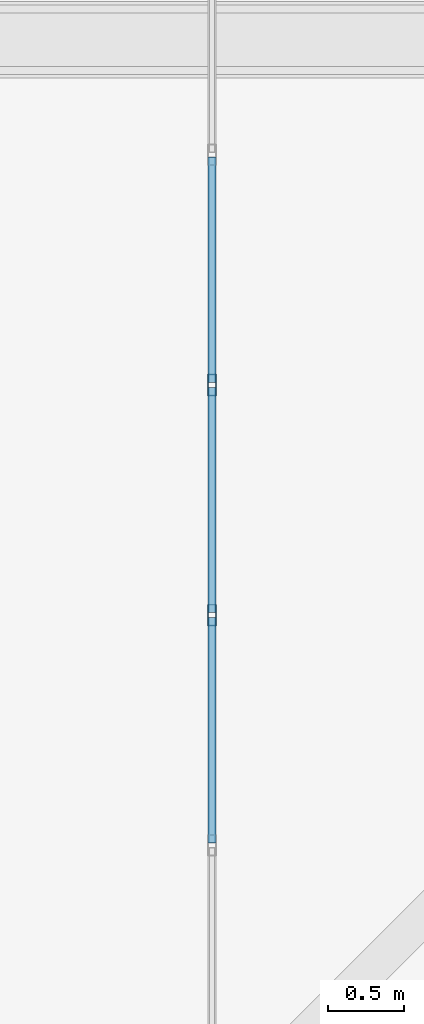
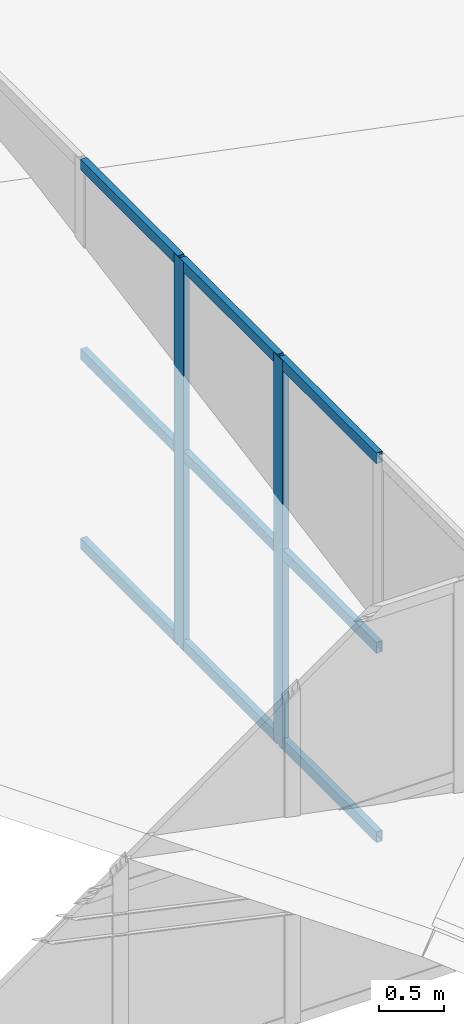
# One storey, part 123 of 397: 11 members, 1 element without a shape of its own.
"""IFC4 building model written with IfcOpenShell, lengths in metres."""

from ifc_helpers import new_model, si_unit, direction, frame, origin, origin_2d, place, context, subcontext, project, spatial, hollow_rectangle, extrude, material, material_profile, profile_set, type_object, element, aggregate, save


model = new_model("IFC4")

# Units and contexts
model_context = context("Model", 3, precision=1e-05, world=origin(), true_north=direction((0.0, 1.0)))
body_context = subcontext(model_context, "Body", "Model", "MODEL_VIEW")
ifc_project = project(units=[si_unit("LENGTHUNIT", "METRE"), si_unit("AREAUNIT", "SQUARE_METRE"), si_unit("VOLUMEUNIT", "CUBIC_METRE"), si_unit("PLANEANGLEUNIT", "RADIAN"), si_unit("MASSUNIT", "GRAM", prefix="KILO")], contexts=[model_context])

# Site, building, storey
site_placement = place(None, origin())
site = spatial("IfcSite", under=ifc_project, at=site_placement, CompositionType="ELEMENT")
building_placement = place(site_placement, origin())
building = spatial("IfcBuilding", under=site, at=building_placement, Name="Qandorah Velis Arena", CompositionType="ELEMENT")
storey_placement = place(building_placement, frame((0.0, 0.0, 27.5)))
storey = spatial("IfcBuildingStorey", under=building, at=storey_placement, Name="RF", CompositionType="ELEMENT", Elevation=27.5)

# Curtain wall, members
ifc_material_1 = material(Name="Solar-control low-E double glazing", Category="glass")
curtain_wall_type = type_object("IfcCurtainWallType", Name="ARC-CW-SYS13", PredefinedType="USERDEFINED", material=ifc_material_1)
curtain_wall_placement = place(storey_placement, origin())
curtain_wall = element("IfcCurtainWall", 1, at=curtain_wall_placement, inside=storey, type_object=curtain_wall_type, Name="Unitised curtain wall MON-2-1", ObjectType="UNITISED CURTAIN WALL", PredefinedType="USERDEFINED")
ifc_material_2 = material(Name="Champagne-bronze anodized aluminium 6063-T6", Category="aluminium")
ifc_material_profile_1 = material_profile(ifc_material_2, hollow_rectangle(XDim=0.054931640625, YDim=0.139892578125, WallThickness=0.0029296875, at=origin_2d()), Name="ALU MULLION 55x140")
ifc_profile_set_1 = profile_set([ifc_material_profile_1], Name="Champagne-bronze anodized aluminium 6063-T6")
member_type_1 = type_object("IfcMemberType", Name="ARC-CWM-140", PredefinedType="MULLION", material=ifc_profile_set_1)
member_1_placement = place(storey_placement, frame((108.0, 24.994384765625, 3.5263671875), z_axis=(0.0, 0.0, 1.0), x_axis=(-1.0, 0.0, 0.0)))
member_1 = element("IfcMember", 2, at=member_1_placement, type_object=member_type_1, Name="CW13 mullion 3", PredefinedType="MULLION", context=body_context, shape_type="SweptSolid", body=[
    extrude(hollow_rectangle(XDim=0.054931640625, YDim=0.139892578125, WallThickness=0.0029296875, at=origin_2d()), origin(), (0.0, 0.0, 1.0), 3.630126953125),
])
member_2_placement = place(storey_placement, frame((108.0, 26.5166015625, 3.5263671875), z_axis=(0.0, 0.0, 1.0), x_axis=(-1.0, 0.0, 0.0)))
member_2 = element("IfcMember", 3, at=member_2_placement, type_object=member_type_1, Name="CW13 mullion 4", PredefinedType="MULLION", context=body_context, shape_type="SweptSolid", body=[
    extrude(hollow_rectangle(XDim=0.054931640625, YDim=0.139892578125, WallThickness=0.0029296875, at=origin_2d()), origin(), (0.0, 0.0, 1.0), 3.630126953125),
])
ifc_material_profile_2 = material_profile(ifc_material_2, hollow_rectangle(XDim=0.054931640625, YDim=0.10009765625, WallThickness=0.0029296875, at=origin_2d()), Name="ALU TRANSOM 55x100")
ifc_profile_set_2 = profile_set([ifc_material_profile_2], Name="Champagne-bronze anodized aluminium 6063-T6")
member_type_2 = type_object("IfcMemberType", Name="ARC-CWT-100", PredefinedType="USERDEFINED", material=ifc_profile_set_2)
member_3_placement = place(storey_placement, frame((108.0, 23.48779296875, 3.56884765625), z_axis=(0.0, 1.0, 0.0), x_axis=(-1.0, 0.0, 0.0)))
member_3 = element("IfcMember", 4, at=member_3_placement, type_object=member_type_2, Name="CW13 transom 2.1", ObjectType="TRANSOM", PredefinedType="USERDEFINED", context=body_context, shape_type="SweptSolid", body=[
    extrude(hollow_rectangle(XDim=0.054931640625, YDim=0.10009765625, WallThickness=0.0029296875, at=origin_2d()), origin(), (0.0, 0.0, 1.0), 1.4912109375),
])
member_4_placement = place(storey_placement, frame((108.0, 23.48779296875, 5.34130859375), z_axis=(0.0, 1.0, 0.0), x_axis=(-1.0, 0.0, 0.0)))
member_4 = element("IfcMember", 5, at=member_4_placement, type_object=member_type_2, Name="CW13 transom 2.2", ObjectType="TRANSOM", PredefinedType="USERDEFINED", context=body_context, shape_type="SweptSolid", body=[
    extrude(hollow_rectangle(XDim=0.054931640625, YDim=0.10009765625, WallThickness=0.0029296875, at=origin_2d()), origin(), (0.0, 0.0, 1.0), 1.4912109375),
])
member_5_placement = place(storey_placement, frame((108.0, 23.48779296875, 7.114013671875), z_axis=(0.0, 1.0, 0.0), x_axis=(-1.0, 0.0, 0.0)))
member_5 = element("IfcMember", 6, at=member_5_placement, type_object=member_type_2, Name="CW13 transom 2.3", ObjectType="TRANSOM", PredefinedType="USERDEFINED", context=body_context, shape_type="SweptSolid", body=[
    extrude(hollow_rectangle(XDim=0.054931640625, YDim=0.10009765625, WallThickness=0.0029296875, at=origin_2d()), origin(), (0.0, 0.0, 1.0), 1.4912109375),
])
member_6_placement = place(storey_placement, frame((108.0, 25.010009765625, 3.56884765625), z_axis=(0.0, 1.0, 0.0), x_axis=(-1.0, 0.0, 0.0)))
member_6 = element("IfcMember", 7, at=member_6_placement, type_object=member_type_2, Name="CW13 transom 3.1", ObjectType="TRANSOM", PredefinedType="USERDEFINED", context=body_context, shape_type="SweptSolid", body=[
    extrude(hollow_rectangle(XDim=0.054931640625, YDim=0.10009765625, WallThickness=0.0029296875, at=origin_2d()), origin(), (0.0, 0.0, 1.0), 1.4912109375),
])
member_7_placement = place(storey_placement, frame((108.0, 25.010009765625, 5.34130859375), z_axis=(0.0, 1.0, 0.0), x_axis=(-1.0, 0.0, 0.0)))
member_7 = element("IfcMember", 8, at=member_7_placement, type_object=member_type_2, Name="CW13 transom 3.2", ObjectType="TRANSOM", PredefinedType="USERDEFINED", context=body_context, shape_type="SweptSolid", body=[
    extrude(hollow_rectangle(XDim=0.054931640625, YDim=0.10009765625, WallThickness=0.0029296875, at=origin_2d()), origin(), (0.0, 0.0, 1.0), 1.4912109375),
])
member_8_placement = place(storey_placement, frame((108.0, 25.010009765625, 7.114013671875), z_axis=(0.0, 1.0, 0.0), x_axis=(-1.0, 0.0, 0.0)))
member_8 = element("IfcMember", 9, at=member_8_placement, type_object=member_type_2, Name="CW13 transom 3.3", ObjectType="TRANSOM", PredefinedType="USERDEFINED", context=body_context, shape_type="SweptSolid", body=[
    extrude(hollow_rectangle(XDim=0.054931640625, YDim=0.10009765625, WallThickness=0.0029296875, at=origin_2d()), origin(), (0.0, 0.0, 1.0), 1.4912109375),
])
member_9_placement = place(storey_placement, frame((108.0, 26.5322265625, 3.56884765625), z_axis=(0.0, 1.0, 0.0), x_axis=(-1.0, 0.0, 0.0)))
member_9 = element("IfcMember", 10, at=member_9_placement, type_object=member_type_2, Name="CW13 transom 4.1", ObjectType="TRANSOM", PredefinedType="USERDEFINED", context=body_context, shape_type="SweptSolid", body=[
    extrude(hollow_rectangle(XDim=0.054931640625, YDim=0.10009765625, WallThickness=0.0029296875, at=origin_2d()), origin(), (0.0, 0.0, 1.0), 1.4912109375),
])
member_10_placement = place(storey_placement, frame((108.0, 26.5322265625, 5.34130859375), z_axis=(0.0, 1.0, 0.0), x_axis=(-1.0, 0.0, 0.0)))
member_10 = element("IfcMember", 11, at=member_10_placement, type_object=member_type_2, Name="CW13 transom 4.2", ObjectType="TRANSOM", PredefinedType="USERDEFINED", context=body_context, shape_type="SweptSolid", body=[
    extrude(hollow_rectangle(XDim=0.054931640625, YDim=0.10009765625, WallThickness=0.0029296875, at=origin_2d()), origin(), (0.0, 0.0, 1.0), 1.4912109375),
])
member_11_placement = place(storey_placement, frame((108.0, 26.5322265625, 7.114013671875), z_axis=(0.0, 1.0, 0.0), x_axis=(-1.0, 0.0, 0.0)))
member_11 = element("IfcMember", 12, at=member_11_placement, type_object=member_type_2, Name="CW13 transom 4.3", ObjectType="TRANSOM", PredefinedType="USERDEFINED", context=body_context, shape_type="SweptSolid", body=[
    extrude(hollow_rectangle(XDim=0.054931640625, YDim=0.10009765625, WallThickness=0.0029296875, at=origin_2d()), origin(), (0.0, 0.0, 1.0), 1.4912109375),
])
aggregate(curtain_wall, [member_1, member_2, member_3, member_4, member_5, member_6, member_7, member_8, member_9, member_10, member_11])

save(model, "model.ifc")
